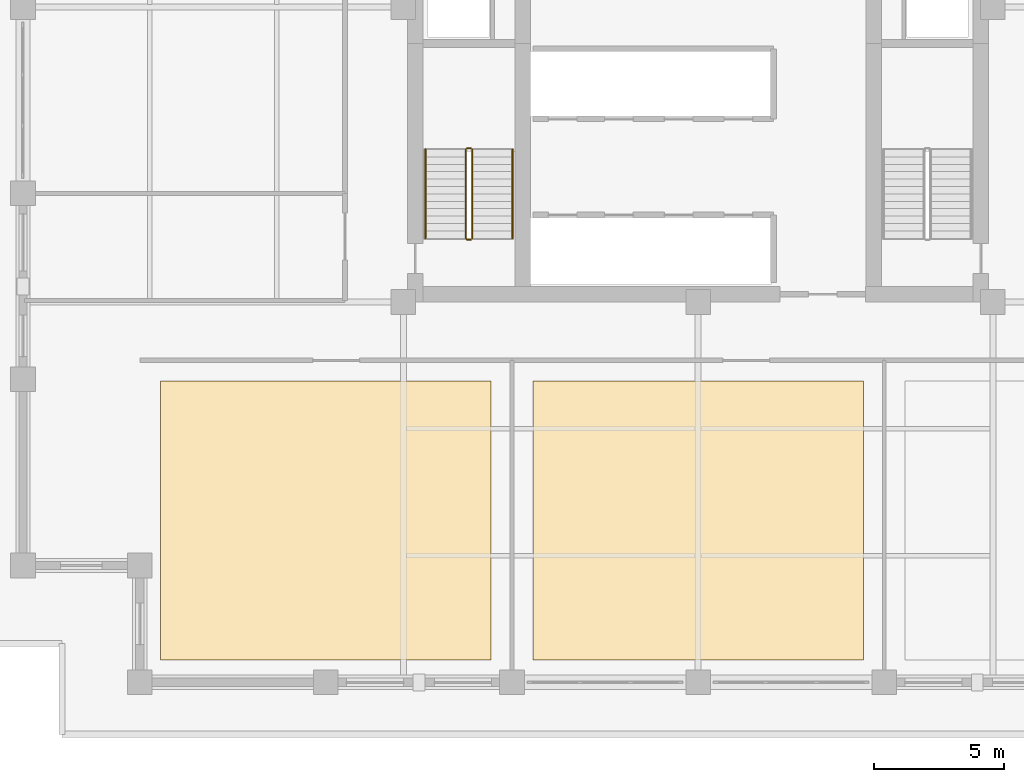
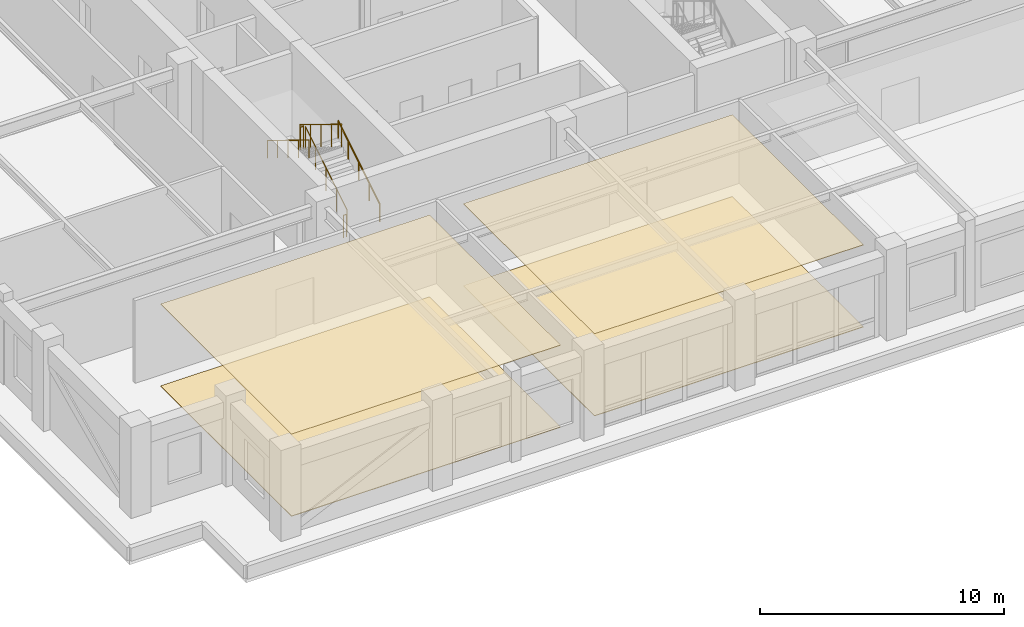
# One storey, part 13 of 16: 6 railings, 4 coverings.
"""IFC4 building model written with IfcOpenShell, lengths in metres."""

from ifc_helpers import new_model, si_unit, direction, frame, origin, origin_2d, place, context, subcontext, project, spatial, polyline, circle, outline, extrude, material, layer, layer_set, type_object, element, save


model = new_model("IFC4")

# Units and contexts
model_context = context("Model", 3, precision=1e-05, world=origin(), true_north=direction((0.0, 1.0)))
body_context = subcontext(model_context, "Body", "Model", "MODEL_VIEW")
ifc_project = project(units=[si_unit("LENGTHUNIT", "METRE"), si_unit("AREAUNIT", "SQUARE_METRE"), si_unit("VOLUMEUNIT", "CUBIC_METRE"), si_unit("PLANEANGLEUNIT", "RADIAN"), si_unit("MASSUNIT", "GRAM", prefix="KILO")], contexts=[model_context])

# Site, building, storey
site_placement = place(None, origin())
site = spatial("IfcSite", under=ifc_project, at=site_placement, CompositionType="ELEMENT")
building_placement = place(site_placement, origin())
building = spatial("IfcBuilding", under=site, at=building_placement, Name="Nhamokura Convention Tower", CompositionType="ELEMENT")
storey_placement = place(building_placement, frame((0.0, 0.0, 106.050048828125)))
storey = spatial("IfcBuildingStorey", under=building, at=storey_placement, Name="L25", CompositionType="ELEMENT", Elevation=106.050048828125)

# Coverings
ifc_material_1 = material(Name="Mineral-fibre acoustic ceiling tile", Category="gypsum")
ifc_layer_1 = layer(ifc_material_1, 0.02490234375)
ifc_layer_set_1 = layer_set([ifc_layer_1], Name="AcousticTileCeiling_25")
covering_type_1 = type_object("IfcCoveringType", Name="AcousticTileCeiling_25", PredefinedType="CEILING", material=ifc_layer_set_1)
covering_1_placement = place(storey_placement, frame((0.0, 0.0, 4.10498046875)))
element("IfcCovering", 1, at=covering_1_placement, inside=storey, type_object=covering_type_1, Name="L25 Suspended Ceiling 01", PredefinedType="CEILING", context=body_context, shape_type="SweptSolid", body=[
    extrude(outline(polyline([(11.300048828125, 6.860107421875), (24.033203125, 6.860107421875), (24.033203125, 17.60009765625), (11.300048828125, 17.60009765625), (11.300048828125, 6.860107421875)])), origin(), (0.0, 0.0, 1.0), 0.02490234375),
])
covering_2_placement = place(storey_placement, frame((0.0, 0.0, 4.10498046875)))
element("IfcCovering", 2, at=covering_2_placement, inside=storey, type_object=covering_type_1, Name="L25 Suspended Ceiling 02", PredefinedType="CEILING", context=body_context, shape_type="SweptSolid", body=[
    extrude(outline(polyline([(25.63330078125, 6.860107421875), (38.36669921875, 6.860107421875), (38.36669921875, 17.60009765625), (25.63330078125, 17.60009765625), (25.63330078125, 6.860107421875)])), origin(), (0.0, 0.0, 1.0), 0.02490234375),
])
ifc_material_2 = material(Name="Polished Sabana granite terrazzo", Category="masonry")
ifc_layer_2 = layer(ifc_material_2, 0.030029296875)
ifc_layer_set_2 = layer_set([ifc_layer_2], Name="SabanaTerrazzoFlooring_30")
covering_type_2 = type_object("IfcCoveringType", Name="SabanaTerrazzoFlooring_30", PredefinedType="FLOORING", material=ifc_layer_set_2)
covering_3_placement = place(storey_placement, origin())
element("IfcCovering", 3, at=covering_3_placement, inside=storey, type_object=covering_type_2, Name="L25 Finish Flooring 01", PredefinedType="FLOORING", context=body_context, shape_type="SweptSolid", body=[
    extrude(outline(polyline([(11.300048828125, 6.860107421875), (24.033203125, 6.860107421875), (24.033203125, 17.60009765625), (11.300048828125, 17.60009765625), (11.300048828125, 6.860107421875)])), origin(), (0.0, 0.0, 1.0), 0.030029296875),
])
covering_4_placement = place(storey_placement, origin())
element("IfcCovering", 4, at=covering_4_placement, inside=storey, type_object=covering_type_2, Name="L25 Finish Flooring 02", PredefinedType="FLOORING", context=body_context, shape_type="SweptSolid", body=[
    extrude(outline(polyline([(25.63330078125, 6.860107421875), (38.36669921875, 6.860107421875), (38.36669921875, 17.60009765625), (25.63330078125, 17.60009765625), (25.63330078125, 6.860107421875)])), origin(), (0.0, 0.0, 1.0), 0.030029296875),
])

# Railings
ifc_material_3 = material(Name="Anodised bronze stainless steel", Category="steel")
railing_type_1 = type_object("IfcRailingType", Name="StairWallHandrail_900", PredefinedType="HANDRAIL", material=ifc_material_3)
railing_1_placement = place(storey_placement, frame((24.85009765625, 23.10009765625, 0.175048828125)))
element("IfcRailing", 5, at=railing_1_placement, inside=storey, type_object=railing_type_1, Name="L25 ST-01 stair handrail 1", PredefinedType="HANDRAIL", context=body_context, shape_type="SweptSolid", body=[
    extrude(circle(Radius=0.02392578125, at=origin_2d()), frame((0.0, 0.0, 0.8759765625), z_axis=(0.0, 0.852182171552, 0.523245206847), x_axis=(-1.0, 0.0, 0.0)), (0.0, 0.0, 1.0), 4.01318359375),
    extrude(circle(Radius=0.02099609375, at=origin_2d()), origin(), (0.0, 0.0, 1.0), 0.851806640625),
    extrude(circle(Radius=0.02099609375, at=origin_2d()), frame((0.0, 0.85498046875, 0.52490234375)), (0.0, 0.0, 1.0), 0.851806640625),
    extrude(circle(Radius=0.02099609375, at=origin_2d()), frame((0.0, 1.7099609375, 1.0498046875)), (0.0, 0.0, 1.0), 0.851806640625),
    extrude(circle(Radius=0.02099609375, at=origin_2d()), frame((0.0, 2.56494140625, 1.574951171875)), (0.0, 0.0, 1.0), 0.851806640625),
    extrude(circle(Radius=0.02099609375, at=origin_2d()), frame((0.0, 3.419921875, 2.099853515625)), (0.0, 0.0, 1.0), 0.851806640625),
])
railing_2_placement = place(storey_placement, frame((21.5, 26.52001953125, 2.449951171875)))
element("IfcRailing", 6, at=railing_2_placement, inside=storey, type_object=railing_type_1, Name="L25 ST-01 stair handrail 2", PredefinedType="HANDRAIL", context=body_context, shape_type="SweptSolid", body=[
    extrude(circle(Radius=0.02392578125, at=origin_2d()), frame((0.0, 0.0, 0.8759765625), z_axis=(0.0, -0.852155044755, 0.523289384279), x_axis=(1.0, 0.0, 0.0)), (0.0, 0.0, 1.0), 4.01318359375),
    extrude(circle(Radius=0.02099609375, at=origin_2d()), origin(), (0.0, 0.0, 1.0), 0.851806640625),
    extrude(circle(Radius=0.02099609375, at=origin_2d()), frame((0.0, -0.85498046875, 0.52490234375)), (0.0, 0.0, 1.0), 0.851806640625),
    extrude(circle(Radius=0.02099609375, at=origin_2d()), frame((0.0, -1.7099609375, 1.050048828125)), (0.0, 0.0, 1.0), 0.851806640625),
    extrude(circle(Radius=0.02099609375, at=origin_2d()), frame((0.0, -2.56494140625, 1.5751953125)), (0.0, 0.0, 1.0), 0.851806640625),
    extrude(circle(Radius=0.02099609375, at=origin_2d()), frame((0.0, -3.419921875, 2.10009765625)), (0.0, 0.0, 1.0), 0.851806640625),
])
ifc_material_4 = material(Name="Painted tubular steel", Category="steel")
railing_type_2 = type_object("IfcRailingType", Name="StairWellGuardrail_1150", PredefinedType="GUARDRAIL", material=ifc_material_4)
railing_3_placement = place(storey_placement, frame((23.300048828125, 23.10009765625, 0.175048828125)))
element("IfcRailing", 7, at=railing_3_placement, inside=storey, type_object=railing_type_2, Name="L25 ST-01 stair guard 1", PredefinedType="GUARDRAIL", context=body_context, shape_type="SweptSolid", body=[
    extrude(circle(Radius=0.02392578125, at=origin_2d()), frame((0.0, 0.0, 1.1259765625), z_axis=(0.0, 0.852182171552, 0.523245206847), x_axis=(-1.0, 0.0, 0.0)), (0.0, 0.0, 1.0), 4.01318359375),
    extrude(circle(Radius=0.02099609375, at=origin_2d()), origin(), (0.0, 0.0, 1.0), 1.101806640625),
    extrude(circle(Radius=0.02099609375, at=origin_2d()), frame((0.0, 0.85498046875, 0.52490234375)), (0.0, 0.0, 1.0), 1.101806640625),
    extrude(circle(Radius=0.02099609375, at=origin_2d()), frame((0.0, 1.7099609375, 1.0498046875)), (0.0, 0.0, 1.0), 1.101806640625),
    extrude(circle(Radius=0.02099609375, at=origin_2d()), frame((0.0, 2.56494140625, 1.574951171875)), (0.0, 0.0, 1.0), 1.101806640625),
    extrude(circle(Radius=0.02099609375, at=origin_2d()), frame((0.0, 3.419921875, 2.099853515625)), (0.0, 0.0, 1.0), 1.101806640625),
])
railing_4_placement = place(storey_placement, frame((23.25, 26.570068359375, 2.27490234375)))
element("IfcRailing", 8, at=railing_4_placement, inside=storey, type_object=railing_type_2, Name="L25 ST-01 stair guard 2", PredefinedType="GUARDRAIL", context=body_context, shape_type="SweptSolid", body=[
    extrude(circle(Radius=0.02392578125, at=origin_2d()), frame((0.0, 0.0, 1.1259765625), z_axis=(-1.0, 0.0, 0.0), x_axis=(0.0, -1.0, 0.0)), (0.0, 0.0, 1.0), 0.14990234375),
    extrude(circle(Radius=0.02099609375, at=origin_2d()), origin(), (0.0, 0.0, 1.0), 1.101806640625),
    extrude(circle(Radius=0.02099609375, at=origin_2d()), frame((-0.14990234375, 0.0, 0.0)), (0.0, 0.0, 1.0), 1.101806640625),
])
railing_5_placement = place(storey_placement, frame((23.050048828125, 26.52001953125, 2.449951171875)))
element("IfcRailing", 9, at=railing_5_placement, inside=storey, type_object=railing_type_2, Name="L25 ST-01 stair guard 3", PredefinedType="GUARDRAIL", context=body_context, shape_type="SweptSolid", body=[
    extrude(circle(Radius=0.02392578125, at=origin_2d()), frame((0.0, 0.0, 1.1259765625), z_axis=(0.0, -0.852155044755, 0.523289384279), x_axis=(1.0, 0.0, 0.0)), (0.0, 0.0, 1.0), 4.01318359375),
    extrude(circle(Radius=0.02099609375, at=origin_2d()), origin(), (0.0, 0.0, 1.0), 1.101806640625),
    extrude(circle(Radius=0.02099609375, at=origin_2d()), frame((0.0, -0.85498046875, 0.52490234375)), (0.0, 0.0, 1.0), 1.101806640625),
    extrude(circle(Radius=0.02099609375, at=origin_2d()), frame((0.0, -1.7099609375, 1.050048828125)), (0.0, 0.0, 1.0), 1.101806640625),
    extrude(circle(Radius=0.02099609375, at=origin_2d()), frame((0.0, -2.56494140625, 1.5751953125)), (0.0, 0.0, 1.0), 1.101806640625),
    extrude(circle(Radius=0.02099609375, at=origin_2d()), frame((0.0, -3.419921875, 2.10009765625)), (0.0, 0.0, 1.0), 1.101806640625),
])
railing_6_placement = place(storey_placement, frame((23.25, 23.050048828125, 0.0)))
element("IfcRailing", 10, at=railing_6_placement, inside=storey, type_object=railing_type_2, Name="L25 ST-01 stair guard 4", PredefinedType="GUARDRAIL", context=body_context, shape_type="SweptSolid", body=[
    extrude(circle(Radius=0.02392578125, at=origin_2d()), frame((0.0, 0.0, 1.1259765625), z_axis=(-1.0, 0.0, 0.0), x_axis=(0.0, -1.0, 0.0)), (0.0, 0.0, 1.0), 0.14990234375),
    extrude(circle(Radius=0.02099609375, at=origin_2d()), origin(), (0.0, 0.0, 1.0), 1.101806640625),
    extrude(circle(Radius=0.02099609375, at=origin_2d()), frame((-0.14990234375, 0.0, 0.0)), (0.0, 0.0, 1.0), 1.101806640625),
])

save(model, "model.ifc")
